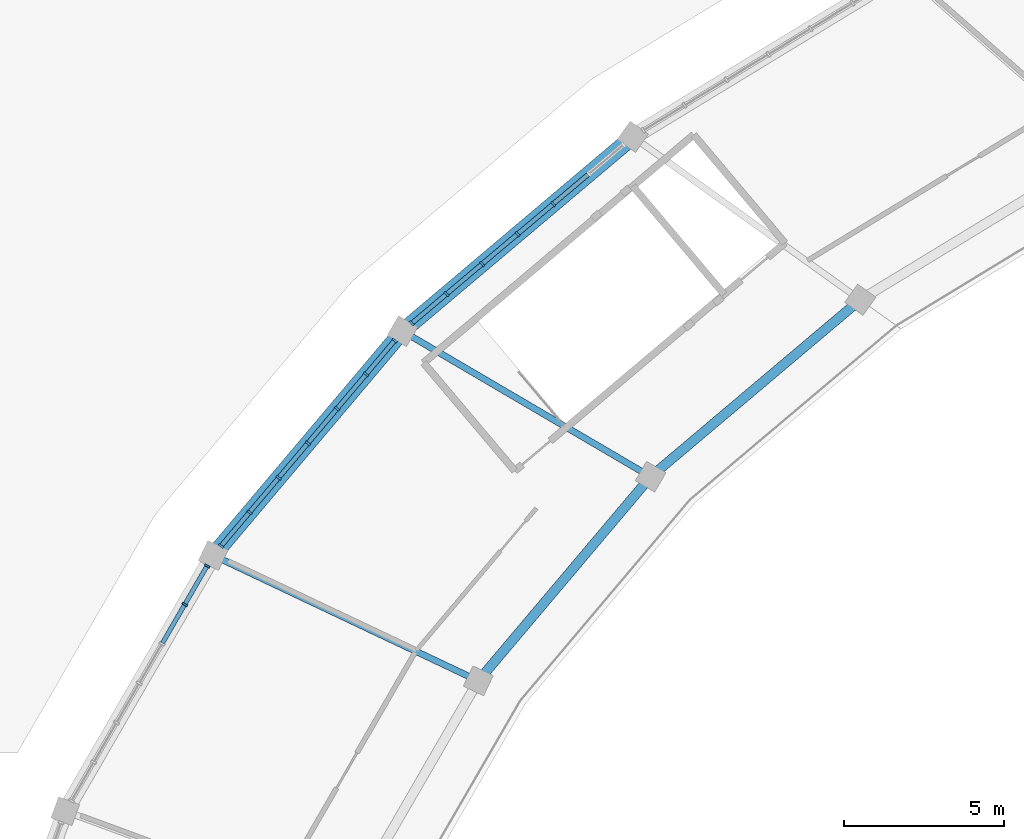
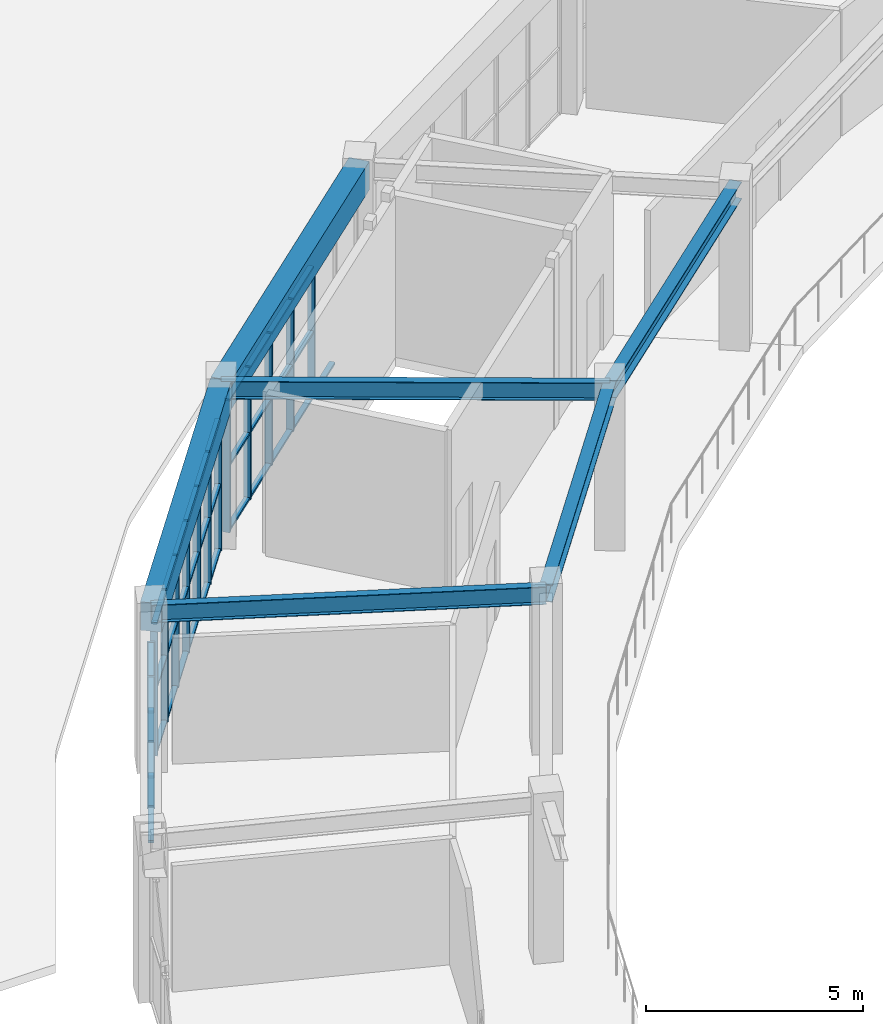
# One storey, part 24 of 45: 51 members, 6 beams, 3 elements without a shape of their own.
"""IFC4 building model written with IfcOpenShell, lengths in metres."""

import ifcopenshell
import ifcopenshell.guid

model = None  # the IFC model being written
_history = None  # IfcOwnerHistory: only IFC2X3 demands one
_inside = {}  # id of a spatial element -> (the spatial element, [elements in it])
_under = {}  # id of a project, library or spatial element -> (it, [spatial elements below it])
_declared = {}  # id of a project -> (the project, [libraries it declares])
_typed = {}  # id of a type object -> (the type object, [elements of that type])
_made_of = {}  # id of a material, layer set ... -> (it, [elements and type objects made of it])


def new_model(schema):
    """Start an empty IFC model of exactly this schema.

    Asked for "IFC4X3", IfcOpenShell would pick the latest addendum, in which some entities
    have other attributes; the version numbers below select the first issue.
    IFC2X3 requires an IfcOwnerHistory on every rooted entity: one is made here for all.
    """
    global model, _history
    if schema == "IFC4X3":
        model = ifcopenshell.file(schema_version=(4, 3, 0, 0))
    else:
        model = ifcopenshell.file(schema=schema)
    _inside.clear()
    _under.clear()
    _declared.clear()
    _typed.clear()
    _made_of.clear()
    _history = None
    if model.schema == "IFC2X3":
        org = make("IfcOrganization", Name="unknown")
        user = make(
            "IfcPersonAndOrganization",
            ThePerson=make("IfcPerson", FamilyName="unknown"),
            TheOrganization=org,
        )
        app = make(
            "IfcApplication",
            ApplicationDeveloper=org,
            Version="unknown",
            ApplicationFullName="unknown",
            ApplicationIdentifier="unknown",
        )
        _history = make(
            "IfcOwnerHistory",
            OwningUser=user,
            OwningApplication=app,
            ChangeAction="ADDED",
            CreationDate=0,
        )
    return model


def make(cls, **values):
    """One entity of the class cls with the attributes given. An attribute that is None is left unset."""
    return model.create_entity(
        cls, **{name: value for name, value in values.items() if value is not None}
    )


def rooted(cls, **values):
    """An entity with a GlobalId (a new one), such as an element, a storey or a relation."""
    return make(cls, GlobalId=ifcopenshell.guid.new(), OwnerHistory=_history, **values)


def si_unit(unit_type, name, prefix=None):
    """IfcSIUnit, for example si_unit("LENGTHUNIT", "METRE", prefix="MILLI")."""
    return make("IfcSIUnit", UnitType=unit_type, Prefix=prefix, Name=name)


def assignment(units):
    """IfcUnitAssignment: the units of a project."""
    return None if units is None else make("IfcUnitAssignment", Units=units)


def point(xyz):
    """IfcCartesianPoint."""
    return None if xyz is None else make("IfcCartesianPoint", Coordinates=xyz)


def direction(xyz):
    """IfcDirection."""
    return None if xyz is None else make("IfcDirection", DirectionRatios=xyz)


def frame(location, z_axis=None, x_axis=None):
    """IfcAxis2Placement3D, a coordinate frame: its origin and axes. An axis left out is left unset."""
    return make(
        "IfcAxis2Placement3D",
        Location=point(location),
        Axis=direction(z_axis),
        RefDirection=direction(x_axis),
    )


def frame_2d(location, x_axis=None):
    """IfcAxis2Placement2D, a coordinate frame in the plane: its origin and x axis."""
    return make(
        "IfcAxis2Placement2D", Location=point(location), RefDirection=direction(x_axis)
    )


def origin():
    """The frame at (0, 0, 0) with its axes left unset."""
    return frame((0.0, 0.0, 0.0))


def origin_2d():
    """The frame at (0, 0) in the plane with its x axis left unset."""
    return frame_2d((0.0, 0.0))


def place(relative_to, where):
    """IfcLocalPlacement: puts the frame where relative to a parent placement (None: the world)."""
    return make(
        "IfcLocalPlacement", PlacementRelTo=relative_to, RelativePlacement=where
    )


def context(
    kind, dimensions, precision=None, world=None, true_north=None, identifier=None
):
    """IfcGeometricRepresentationContext, for example the 3D "Model" context."""
    return make(
        "IfcGeometricRepresentationContext",
        ContextIdentifier=identifier,
        ContextType=kind,
        CoordinateSpaceDimension=dimensions,
        Precision=precision,
        WorldCoordinateSystem=world,
        TrueNorth=true_north,
    )


def subcontext(parent, identifier, kind, view, scale=None):
    """IfcGeometricRepresentationSubContext, for example "Body" below "Model"."""
    return make(
        "IfcGeometricRepresentationSubContext",
        ContextIdentifier=identifier,
        ContextType=kind,
        ParentContext=parent,
        TargetScale=scale,
        TargetView=view,
    )


def project(units=None, contexts=None):
    """IfcProject with its units and contexts."""
    return rooted(
        "IfcProject",
        Name="project",
        RepresentationContexts=contexts,
        UnitsInContext=assignment(units),
    )


def spatial(cls, under=None, at=None, **own):
    """A site, building, storey or space (cls), placed at a placement, below another one or the project."""
    s = rooted(cls, ObjectPlacement=at, **own)
    if under is not None:
        _under.setdefault(under.id(), (under, []))[1].append(s)
    return s


def profile(cls, at=None, kind="AREA", **sizes):
    """A parametric profile (cls). Its sizes go by their IFC names, for example OverallWidth=200.0."""
    return make(cls, ProfileType=kind, Position=at, **sizes)


def rectangle(**sizes):
    """IfcRectangleProfileDef."""
    return profile("IfcRectangleProfileDef", **sizes)


def i_section(**sizes):
    """IfcIShapeProfileDef."""
    return profile("IfcIShapeProfileDef", **sizes)


def extrude(swept, where, along, depth):
    """IfcExtrudedAreaSolid: the profile swept, set in the frame where, extruded along a direction by depth."""
    return make(
        "IfcExtrudedAreaSolid",
        SweptArea=swept,
        Position=where,
        ExtrudedDirection=direction(along),
        Depth=depth,
    )


def shape(context_of_items, identifier, shape_type, items):
    """IfcShapeRepresentation: the items that make up one representation, for example the "Body"."""
    return make(
        "IfcShapeRepresentation",
        ContextOfItems=context_of_items,
        RepresentationIdentifier=identifier,
        RepresentationType=shape_type,
        Items=items,
    )


def material(Name=None, Category=None):
    """IfcMaterial."""
    return make("IfcMaterial", Name=Name, Category=Category)


def layer(
    of_material, thickness, ventilated=None, Name=None, Category=None, Priority=None
):
    """IfcMaterialLayer: one layer of a wall or slab, of a material (None: an air gap)."""
    return make(
        "IfcMaterialLayer",
        Material=of_material,
        LayerThickness=thickness,
        IsVentilated=ventilated,
        Name=Name,
        Category=Category,
        Priority=Priority,
    )


def layer_set(layers, Name=None):
    """IfcMaterialLayerSet."""
    return make("IfcMaterialLayerSet", MaterialLayers=layers, LayerSetName=Name)


def material_profile(
    of_material, cross_section, Name=None, Category=None, Priority=None
):
    """IfcMaterialProfile: a cross section and its material."""
    return make(
        "IfcMaterialProfile",
        Name=Name,
        Material=of_material,
        Profile=cross_section,
        Priority=Priority,
        Category=Category,
    )


def profile_set(profiles, Name=None, composite=None):
    """IfcMaterialProfileSet."""
    return make(
        "IfcMaterialProfileSet",
        Name=Name,
        MaterialProfiles=profiles,
        CompositeProfile=composite,
    )


def made_of(thing, what):
    """Note that an element or type object is made of a material, layer set ...; save() writes the relation."""
    if what is not None:
        _made_of.setdefault(what.id(), (what, []))[1].append(thing)
    return thing


def type_object(cls, material=None, **own):
    """A type object (cls), such as IfcWallType, which elements share."""
    return made_of(rooted(cls, **own), material)


def element(
    cls,
    number,
    at=None,
    inside=None,
    cuts=None,
    type_object=None,
    material=None,
    context=None,
    identifier="Body",
    shape_type=None,
    held_by="IfcProductDefinitionShape",
    body=None,
    shapes=None,
    **own,
):
    """One element of the class cls, such as IfcWall. Its Tag is "e" and its number.

    at: its placement. inside: the storey or other place that contains it. cuts: it is an
    opening in that element (IfcRelVoidsElement). A single representation is given by context,
    identifier, shape_type and body (its items); several are given by shapes. held_by: the class
    of the entity that holds the representations. save() writes the other relations.
    """
    e = rooted(cls, Tag="e%d" % number, ObjectPlacement=at, **own)
    if body is not None:
        shapes = [shape(context, identifier, shape_type, body)]
    if shapes is not None:
        e.Representation = make(held_by, Representations=shapes)
    if inside is not None:
        _inside.setdefault(inside.id(), (inside, []))[1].append(e)
    if cuts is not None:
        rooted(
            "IfcRelVoidsElement", RelatingBuildingElement=cuts, RelatedOpeningElement=e
        )
    if type_object is not None:
        _typed.setdefault(type_object.id(), (type_object, []))[1].append(e)
    return made_of(e, material)


def aggregate(whole, parts):
    """IfcRelAggregates: a whole, such as a stair, and the parts it consists of."""
    return rooted("IfcRelAggregates", RelatingObject=whole, RelatedObjects=parts)


def save(model, path):
    """Write the relations noted so far, then the file.

    IfcRelAggregates (storeys below a building ...), IfcRelContainedInSpatialStructure (elements
    in a storey), IfcRelDefinesByType, IfcRelAssociatesMaterial and IfcRelDeclares: one each for
    every whole, place, type object, material and project.
    """
    for whole, parts in _under.values():
        aggregate(whole, parts)
    for where, things in _inside.values():
        rooted(
            "IfcRelContainedInSpatialStructure",
            RelatedElements=things,
            RelatingStructure=where,
        )
    for kind, things in _typed.values():
        rooted("IfcRelDefinesByType", RelatedObjects=things, RelatingType=kind)
    for what, things in _made_of.values():
        rooted("IfcRelAssociatesMaterial", RelatedObjects=things, RelatingMaterial=what)
    for by, libraries in _declared.values():
        rooted("IfcRelDeclares", RelatingContext=by, RelatedDefinitions=libraries)
    model.write(path)


model = new_model("IFC4")

# Units and contexts
model_context = context("Model", 3, precision=1e-05, world=origin(), true_north=direction((0.0, 1.0)))
body_context = subcontext(model_context, "Body", "Model", "MODEL_VIEW")
ifc_project = project(units=[si_unit("LENGTHUNIT", "METRE"), si_unit("AREAUNIT", "SQUARE_METRE"), si_unit("VOLUMEUNIT", "CUBIC_METRE"), si_unit("PLANEANGLEUNIT", "RADIAN"), si_unit("MASSUNIT", "GRAM", prefix="KILO")], contexts=[model_context])

# Site, building, storey
site_placement = place(None, origin())
site = spatial("IfcSite", under=ifc_project, at=site_placement, CompositionType="ELEMENT")
building_placement = place(site_placement, origin())
building = spatial("IfcBuilding", under=site, at=building_placement, Name="Mphavela Belvedere Stadium", CompositionType="ELEMENT")
storey_placement = place(building_placement, frame((0.0, 0.0, 24.0)))
storey = spatial("IfcBuildingStorey", under=building, at=storey_placement, Name="L05", CompositionType="ELEMENT", Elevation=24.0)

# Beams
ifc_material_1 = material(Name="Concrete C40/50", Category="concrete")
ifc_material_profile_1 = material_profile(ifc_material_1, rectangle(XDim=0.5, YDim=0.800048828125, at=origin_2d()), Name="RC 500x800")
ifc_profile_set_1 = profile_set([ifc_material_profile_1], Name="Concrete C40/50")
beam_type_1 = type_object("IfcBeamType", Name="BM-SPANDREL-800", PredefinedType="SPANDREL", material=ifc_profile_set_1)
beam_1_placement = place(storey_placement, frame((35.844482421875, 143.714599609375, 4.14990234375), z_axis=(-0.76426547638, -0.644901761212, 0.0), x_axis=(0.644901761212, -0.76426547638, 0.0)))
element("IfcBeam", 1, at=beam_1_placement, inside=storey, type_object=beam_type_1, Name="Circumferential girder L05 R4-19", PredefinedType="SPANDREL", context=body_context, shape_type="SweptSolid", body=[
    extrude(rectangle(XDim=0.5, YDim=0.800048828125, at=origin_2d()), origin(), (0.0, 0.0, 1.0), 9.3984375),
])
beam_2_placement = place(storey_placement, frame((28.66162109375, 137.653564453125, 4.14990234375), z_axis=(-0.645164552218, -0.764043650952, 0.0), x_axis=(0.764043650952, -0.645164552218, 0.0)))
element("IfcBeam", 2, at=beam_2_placement, inside=storey, type_object=beam_type_1, Name="Circumferential girder L05 R4-20", PredefinedType="SPANDREL", context=body_context, shape_type="SweptSolid", body=[
    extrude(rectangle(XDim=0.5, YDim=0.800048828125, at=origin_2d()), origin(), (0.0, 0.0, 1.0), 9.151123046875),
])
ifc_material_2 = material(Name="Steel S355", Category="steel")
ifc_material_profile_2 = material_profile(ifc_material_2, i_section(OverallWidth=0.300048828125, OverallDepth=0.489990234375, WebThickness=0.011962890625, FlangeThickness=0.02294921875, at=origin_2d()), Name="HEA 500")
ifc_profile_set_2 = profile_set([ifc_material_profile_2], Name="Steel S355")
beam_type_2 = type_object("IfcBeamType", Name="BM-STEEL-HEA500", PredefinedType="BEAM", material=ifc_profile_set_2)
beam_3_placement = place(storey_placement, frame((42.938720703125, 138.631591796875, 4.304931640625), z_axis=(-0.764263355392, -0.644904274761, 0.0), x_axis=(0.644904274761, -0.764263355392, 0.0)))
element("IfcBeam", 3, at=beam_3_placement, inside=storey, type_object=beam_type_2, Name="Circumferential girder L05 R3-19", PredefinedType="BEAM", context=body_context, shape_type="SweptSolid", body=[
    extrude(i_section(OverallWidth=0.300048828125, OverallDepth=0.489990234375, WebThickness=0.011962890625, FlangeThickness=0.02294921875, at=origin_2d()), origin(), (0.0, 0.0, 1.0), 8.55615234375),
])
beam_4_placement = place(storey_placement, frame((36.399658203125, 133.11376953125, 4.304931640625), z_axis=(-0.645177396673, -0.764032804808, 0.0), x_axis=(0.764032804808, -0.645177396673, 0.0)))
element("IfcBeam", 4, at=beam_4_placement, inside=storey, type_object=beam_type_2, Name="Circumferential girder L05 R3-20", PredefinedType="BEAM", context=body_context, shape_type="SweptSolid", body=[
    extrude(i_section(OverallWidth=0.300048828125, OverallDepth=0.489990234375, WebThickness=0.011962890625, FlangeThickness=0.02294921875, at=origin_2d()), origin(), (0.0, 0.0, 1.0), 8.331298828125),
])
ifc_material_3 = material(Name="Steel S355", Category="steel")
ifc_material_profile_3 = material_profile(ifc_material_3, i_section(OverallWidth=0.199951171875, OverallDepth=0.5, WebThickness=0.01025390625, FlangeThickness=0.01611328125, at=origin_2d()), Name="IPE 500")
ifc_profile_set_3 = profile_set([ifc_material_profile_3], Name="Steel S355")
beam_type_3 = type_object("IfcBeamType", Name="BM-STEEL-IPE500", PredefinedType="BEAM", material=ifc_profile_set_3)
beam_5_placement = place(storey_placement, frame((36.399658203125, 133.11376953125, 4.300048828125), z_axis=(-0.862517779395, 0.506026758411, 0.0), x_axis=(-0.506026758411, -0.862517779395, 0.0)))
element("IfcBeam", 5, at=beam_5_placement, inside=storey, type_object=beam_type_3, Name="Radial concourse girder L05 R3R4-20", PredefinedType="BEAM", context=body_context, shape_type="SweptSolid", body=[
    extrude(i_section(OverallWidth=0.199951171875, OverallDepth=0.5, WebThickness=0.01025390625, FlangeThickness=0.01611328125, at=origin_2d()), origin(), (0.0, 0.0, 1.0), 8.971435546875),
])
beam_6_placement = place(storey_placement, frame((31.0244140625, 126.748291015625, 4.300048828125), z_axis=(-0.903845427073, 0.427859140325, 0.0), x_axis=(-0.427859140325, -0.903845427073, 0.0)))
element("IfcBeam", 6, at=beam_6_placement, inside=storey, type_object=beam_type_3, Name="Radial concourse girder L05 R3R4-21", PredefinedType="BEAM", context=body_context, shape_type="SweptSolid", body=[
    extrude(i_section(OverallWidth=0.199951171875, OverallDepth=0.5, WebThickness=0.01025390625, FlangeThickness=0.01611328125, at=origin_2d()), origin(), (0.0, 0.0, 1.0), 9.146240234375),
])

# Curtain wall, members
ifc_material_4 = material(Name="Anodised bronze unitised curtain wall framing")
ifc_layer_1 = layer(ifc_material_4, 0.179931640625)
ifc_layer_set_1 = layer_set([ifc_layer_1], Name="Anodised bronze unitised curtain wall framing")
curtain_wall_type_1 = type_object("IfcCurtainWallType", Name="CW-UNIT-01", PredefinedType="USERDEFINED", material=ifc_layer_set_1)
curtain_wall_1_placement = place(storey_placement, origin())
curtain_wall_1 = element("IfcCurtainWall", 7, at=curtain_wall_1_placement, inside=storey, type_object=curtain_wall_type_1, Name="Belvedere colonnade curtain wall L05-19", ObjectType="UNITISED CURTAIN WALL", PredefinedType="USERDEFINED")
ifc_material_5 = material(Name="Anodised bronze extruded aluminium", Category="aluminium")
ifc_material_profile_4 = material_profile(ifc_material_5, rectangle(XDim=0.179931640625, YDim=0.06494140625, at=origin_2d()), Name="CW-MUL 180x65")
ifc_profile_set_4 = profile_set([ifc_material_profile_4], Name="Anodised bronze extruded aluminium")
member_type_1 = type_object("IfcMemberType", Name="CWM-180x65", PredefinedType="MULLION", material=ifc_profile_set_4)
member_1_placement = place(storey_placement, frame((33.361572265625, 141.619384765625, 0.0), z_axis=(0.0, 0.0, 1.0), x_axis=(0.644916038089, -0.764253429051, 0.0)))
member_1 = element("IfcMember", 8, at=member_1_placement, type_object=member_type_1, Name="CW-01 mullion 3", PredefinedType="MULLION", context=body_context, shape_type="SweptSolid", body=[
    extrude(rectangle(XDim=0.179931640625, YDim=0.06494140625, at=origin_2d()), origin(), (0.0, 0.0, 1.0), 3.719970703125),
])
member_2_placement = place(storey_placement, frame((32.2529296875, 140.68408203125, 0.0), z_axis=(0.0, 0.0, 1.0), x_axis=(0.644916038089, -0.764253429051, 0.0)))
member_2 = element("IfcMember", 9, at=member_2_placement, type_object=member_type_1, Name="CW-01 mullion 4", PredefinedType="MULLION", context=body_context, shape_type="SweptSolid", body=[
    extrude(rectangle(XDim=0.179931640625, YDim=0.06494140625, at=origin_2d()), origin(), (0.0, 0.0, 1.0), 3.719970703125),
])
member_3_placement = place(storey_placement, frame((31.14453125, 139.74853515625, 0.0), z_axis=(0.0, 0.0, 1.0), x_axis=(0.644916038089, -0.764253429051, 0.0)))
member_3 = element("IfcMember", 10, at=member_3_placement, type_object=member_type_1, Name="CW-01 mullion 5", PredefinedType="MULLION", context=body_context, shape_type="SweptSolid", body=[
    extrude(rectangle(XDim=0.179931640625, YDim=0.06494140625, at=origin_2d()), origin(), (0.0, 0.0, 1.0), 3.719970703125),
])
member_4_placement = place(storey_placement, frame((30.0361328125, 138.813232421875, 0.0), z_axis=(0.0, 0.0, 1.0), x_axis=(0.644916038089, -0.764253429051, 0.0)))
member_4 = element("IfcMember", 11, at=member_4_placement, type_object=member_type_1, Name="CW-01 mullion 6", PredefinedType="MULLION", context=body_context, shape_type="SweptSolid", body=[
    extrude(rectangle(XDim=0.179931640625, YDim=0.06494140625, at=origin_2d()), origin(), (0.0, 0.0, 1.0), 3.719970703125),
])
member_5_placement = place(storey_placement, frame((28.95263671875, 137.89892578125, 0.0), z_axis=(0.0, 0.0, 1.0), x_axis=(0.644916038089, -0.764253429051, 0.0)))
member_5 = element("IfcMember", 12, at=member_5_placement, type_object=member_type_1, Name="CW-01 mullion 7", PredefinedType="MULLION", context=body_context, shape_type="SweptSolid", body=[
    extrude(rectangle(XDim=0.179931640625, YDim=0.06494140625, at=origin_2d()), origin(), (0.0, 0.0, 1.0), 3.719970703125),
])

ifc_material_6 = material(Name="Anodised bronze unitised curtain wall framing")
ifc_layer_2 = layer(ifc_material_6, 0.18505859375)
ifc_layer_set_2 = layer_set([ifc_layer_2], Name="Anodised bronze unitised curtain wall framing")
curtain_wall_type_2 = type_object("IfcCurtainWallType", Name="CW-UNIT-02", PredefinedType="USERDEFINED", material=ifc_layer_set_2)
curtain_wall_2_placement = place(storey_placement, origin())
curtain_wall_2 = element("IfcCurtainWall", 13, at=curtain_wall_2_placement, inside=storey, type_object=curtain_wall_type_2, Name="Belvedere colonnade curtain wall L05-20", ObjectType="UNITISED CURTAIN WALL", PredefinedType="USERDEFINED")
member_6_placement = place(storey_placement, frame((28.416259765625, 137.36279296875, 0.0), z_axis=(0.0, 0.0, 1.0), x_axis=(0.764034579723, -0.645175294774, 0.0)))
member_6 = element("IfcMember", 14, at=member_6_placement, type_object=member_type_1, Name="CW-02 mullion 1", PredefinedType="MULLION", context=body_context, shape_type="SweptSolid", body=[
    extrude(rectangle(XDim=0.179931640625, YDim=0.06494140625, at=origin_2d()), origin(), (0.0, 0.0, 1.0), 3.719970703125),
])
member_7_placement = place(storey_placement, frame((27.528076171875, 136.310791015625, 0.0), z_axis=(0.0, 0.0, 1.0), x_axis=(0.764034579723, -0.645175294774, 0.0)))
member_7 = element("IfcMember", 15, at=member_7_placement, type_object=member_type_1, Name="CW-02 mullion 2", PredefinedType="MULLION", context=body_context, shape_type="SweptSolid", body=[
    extrude(rectangle(XDim=0.179931640625, YDim=0.06494140625, at=origin_2d()), origin(), (0.0, 0.0, 1.0), 3.719970703125),
])
member_8_placement = place(storey_placement, frame((26.618896484375, 135.234130859375, 0.0), z_axis=(0.0, 0.0, 1.0), x_axis=(0.764034579723, -0.645175294774, 0.0)))
member_8 = element("IfcMember", 16, at=member_8_placement, type_object=member_type_1, Name="CW-02 mullion 3", PredefinedType="MULLION", context=body_context, shape_type="SweptSolid", body=[
    extrude(rectangle(XDim=0.179931640625, YDim=0.06494140625, at=origin_2d()), origin(), (0.0, 0.0, 1.0), 3.719970703125),
])
member_9_placement = place(storey_placement, frame((25.709716796875, 134.157470703125, 0.0), z_axis=(0.0, 0.0, 1.0), x_axis=(0.764034579723, -0.645175294774, 0.0)))
member_9 = element("IfcMember", 17, at=member_9_placement, type_object=member_type_1, Name="CW-02 mullion 4", PredefinedType="MULLION", context=body_context, shape_type="SweptSolid", body=[
    extrude(rectangle(XDim=0.179931640625, YDim=0.06494140625, at=origin_2d()), origin(), (0.0, 0.0, 1.0), 3.719970703125),
])
member_10_placement = place(storey_placement, frame((24.80029296875, 133.080810546875, 0.0), z_axis=(0.0, 0.0, 1.0), x_axis=(0.764034579723, -0.645175294774, 0.0)))
member_10 = element("IfcMember", 18, at=member_10_placement, type_object=member_type_1, Name="CW-02 mullion 5", PredefinedType="MULLION", context=body_context, shape_type="SweptSolid", body=[
    extrude(rectangle(XDim=0.179931640625, YDim=0.06494140625, at=origin_2d()), origin(), (0.0, 0.0, 1.0), 3.719970703125),
])
member_11_placement = place(storey_placement, frame((23.89111328125, 132.004150390625, 0.0), z_axis=(0.0, 0.0, 1.0), x_axis=(0.764034579723, -0.645175294774, 0.0)))
member_11 = element("IfcMember", 19, at=member_11_placement, type_object=member_type_1, Name="CW-02 mullion 6", PredefinedType="MULLION", context=body_context, shape_type="SweptSolid", body=[
    extrude(rectangle(XDim=0.179931640625, YDim=0.06494140625, at=origin_2d()), origin(), (0.0, 0.0, 1.0), 3.719970703125),
])
member_12_placement = place(storey_placement, frame((23.0029296875, 130.9521484375, 0.0), z_axis=(0.0, 0.0, 1.0), x_axis=(0.764034579723, -0.645175294774, 0.0)))
member_12 = element("IfcMember", 20, at=member_12_placement, type_object=member_type_1, Name="CW-02 mullion 7", PredefinedType="MULLION", context=body_context, shape_type="SweptSolid", body=[
    extrude(rectangle(XDim=0.179931640625, YDim=0.06494140625, at=origin_2d()), origin(), (0.0, 0.0, 1.0), 3.719970703125),
])

ifc_material_7 = material(Name="Anodised bronze unitised curtain wall framing")
ifc_layer_3 = layer(ifc_material_7, 0.18994140625)
ifc_layer_set_3 = layer_set([ifc_layer_3], Name="Anodised bronze unitised curtain wall framing")
curtain_wall_type_3 = type_object("IfcCurtainWallType", Name="CW-UNIT-03", PredefinedType="USERDEFINED", material=ifc_layer_set_3)
curtain_wall_3_placement = place(storey_placement, origin())
curtain_wall_3 = element("IfcCurtainWall", 21, at=curtain_wall_3_placement, inside=storey, type_object=curtain_wall_type_3, Name="Belvedere colonnade curtain wall L05-21", ObjectType="UNITISED CURTAIN WALL", PredefinedType="USERDEFINED")
member_13_placement = place(storey_placement, frame((22.567138671875, 130.33203125, 0.0), z_axis=(0.0, 0.0, 1.0), x_axis=(0.865704159606, -0.500555998906, 0.0)))
member_13 = element("IfcMember", 22, at=member_13_placement, type_object=member_type_1, Name="CW-03 mullion 1", PredefinedType="MULLION", context=body_context, shape_type="SweptSolid", body=[
    extrude(rectangle(XDim=0.179931640625, YDim=0.06494140625, at=origin_2d()), origin(), (0.0, 0.0, 1.0), 3.719970703125),
])
member_14_placement = place(storey_placement, frame((21.872314453125, 129.130859375, 0.0), z_axis=(0.0, 0.0, 1.0), x_axis=(0.865704159606, -0.500555998906, 0.0)))
member_14 = element("IfcMember", 23, at=member_14_placement, type_object=member_type_1, Name="CW-03 mullion 2", PredefinedType="MULLION", context=body_context, shape_type="SweptSolid", body=[
    extrude(rectangle(XDim=0.179931640625, YDim=0.06494140625, at=origin_2d()), origin(), (0.0, 0.0, 1.0), 3.719970703125),
])

# Member
ifc_material_8 = material(Name="Anodised bronze extruded aluminium", Category="aluminium")
ifc_material_profile_5 = material_profile(ifc_material_8, rectangle(XDim=0.139892578125, YDim=0.06005859375, at=origin_2d()), Name="CW-TRN 140x60")
ifc_profile_set_5 = profile_set([ifc_material_profile_5], Name="Anodised bronze extruded aluminium")
member_type_2 = type_object("IfcMemberType", Name="CWT-140x60", PredefinedType="USERDEFINED", material=ifc_profile_set_5)
member_15_placement = place(storey_placement, frame((34.445068359375, 142.53369140625, 0.030029296875), z_axis=(-0.764321340715, -0.644835551228, 0.0), x_axis=(0.644835551228, -0.764321340715, 0.0)))
member_15 = element("IfcMember", 24, at=member_15_placement, type_object=member_type_2, Name="CW-01 transom 2.1", ObjectType="TRANSOM", PredefinedType="USERDEFINED", context=body_context, shape_type="SweptSolid", body=[
    extrude(rectangle(XDim=0.139892578125, YDim=0.06005859375, at=origin_2d()), origin(), (0.0, 0.0, 1.0), 1.38525390625),
])

member_16_placement = place(storey_placement, frame((33.336669921875, 141.598388671875, 0.030029296875), z_axis=(-0.764321340715, -0.644835551228, 0.0), x_axis=(0.644835551228, -0.764321340715, 0.0)))
member_16 = element("IfcMember", 25, at=member_16_placement, type_object=member_type_2, Name="CW-01 transom 3.1", ObjectType="TRANSOM", PredefinedType="USERDEFINED", context=body_context, shape_type="SweptSolid", body=[
    extrude(rectangle(XDim=0.139892578125, YDim=0.06005859375, at=origin_2d()), origin(), (0.0, 0.0, 1.0), 1.38525390625),
])

member_17_placement = place(storey_placement, frame((33.336669921875, 141.598388671875, 1.860107421875), z_axis=(-0.764321340715, -0.644835551228, 0.0), x_axis=(0.644835551228, -0.764321340715, 0.0)))
member_17 = element("IfcMember", 26, at=member_17_placement, type_object=member_type_2, Name="CW-01 transom 3.2", ObjectType="TRANSOM", PredefinedType="USERDEFINED", context=body_context, shape_type="SweptSolid", body=[
    extrude(rectangle(XDim=0.139892578125, YDim=0.06005859375, at=origin_2d()), origin(), (0.0, 0.0, 1.0), 1.38525390625),
])

member_18_placement = place(storey_placement, frame((33.336669921875, 141.598388671875, 3.68994140625), z_axis=(-0.764321340715, -0.644835551228, 0.0), x_axis=(0.644835551228, -0.764321340715, 0.0)))
member_18 = element("IfcMember", 27, at=member_18_placement, type_object=member_type_2, Name="CW-01 transom 3.3", ObjectType="TRANSOM", PredefinedType="USERDEFINED", context=body_context, shape_type="SweptSolid", body=[
    extrude(rectangle(XDim=0.139892578125, YDim=0.06005859375, at=origin_2d()), origin(), (0.0, 0.0, 1.0), 1.38525390625),
])

member_19_placement = place(storey_placement, frame((32.228271484375, 140.6630859375, 0.030029296875), z_axis=(-0.764234485314, -0.644938486569, 0.0), x_axis=(0.644938486569, -0.764234485314, 0.0)))
member_19 = element("IfcMember", 28, at=member_19_placement, type_object=member_type_2, Name="CW-01 transom 4.1", ObjectType="TRANSOM", PredefinedType="USERDEFINED", context=body_context, shape_type="SweptSolid", body=[
    extrude(rectangle(XDim=0.139892578125, YDim=0.06005859375, at=origin_2d()), origin(), (0.0, 0.0, 1.0), 1.385498046875),
])

member_20_placement = place(storey_placement, frame((32.228271484375, 140.6630859375, 1.860107421875), z_axis=(-0.764234485314, -0.644938486569, 0.0), x_axis=(0.644938486569, -0.764234485314, 0.0)))
member_20 = element("IfcMember", 29, at=member_20_placement, type_object=member_type_2, Name="CW-01 transom 4.2", ObjectType="TRANSOM", PredefinedType="USERDEFINED", context=body_context, shape_type="SweptSolid", body=[
    extrude(rectangle(XDim=0.139892578125, YDim=0.06005859375, at=origin_2d()), origin(), (0.0, 0.0, 1.0), 1.385498046875),
])

member_21_placement = place(storey_placement, frame((32.228271484375, 140.6630859375, 3.68994140625), z_axis=(-0.764234485314, -0.644938486569, 0.0), x_axis=(0.644938486569, -0.764234485314, 0.0)))
member_21 = element("IfcMember", 30, at=member_21_placement, type_object=member_type_2, Name="CW-01 transom 4.3", ObjectType="TRANSOM", PredefinedType="USERDEFINED", context=body_context, shape_type="SweptSolid", body=[
    extrude(rectangle(XDim=0.139892578125, YDim=0.06005859375, at=origin_2d()), origin(), (0.0, 0.0, 1.0), 1.385498046875),
])

member_22_placement = place(storey_placement, frame((31.119873046875, 139.727783203125, 0.030029296875), z_axis=(-0.764234485314, -0.644938486569, 0.0), x_axis=(0.644938486569, -0.764234485314, 0.0)))
member_22 = element("IfcMember", 31, at=member_22_placement, type_object=member_type_2, Name="CW-01 transom 5.1", ObjectType="TRANSOM", PredefinedType="USERDEFINED", context=body_context, shape_type="SweptSolid", body=[
    extrude(rectangle(XDim=0.139892578125, YDim=0.06005859375, at=origin_2d()), origin(), (0.0, 0.0, 1.0), 1.385498046875),
])

member_23_placement = place(storey_placement, frame((31.119873046875, 139.727783203125, 1.860107421875), z_axis=(-0.764234485314, -0.644938486569, 0.0), x_axis=(0.644938486569, -0.764234485314, 0.0)))
member_23 = element("IfcMember", 32, at=member_23_placement, type_object=member_type_2, Name="CW-01 transom 5.2", ObjectType="TRANSOM", PredefinedType="USERDEFINED", context=body_context, shape_type="SweptSolid", body=[
    extrude(rectangle(XDim=0.139892578125, YDim=0.06005859375, at=origin_2d()), origin(), (0.0, 0.0, 1.0), 1.385498046875),
])

member_24_placement = place(storey_placement, frame((31.119873046875, 139.727783203125, 3.68994140625), z_axis=(-0.764234485314, -0.644938486569, 0.0), x_axis=(0.644938486569, -0.764234485314, 0.0)))
member_24 = element("IfcMember", 33, at=member_24_placement, type_object=member_type_2, Name="CW-01 transom 5.3", ObjectType="TRANSOM", PredefinedType="USERDEFINED", context=body_context, shape_type="SweptSolid", body=[
    extrude(rectangle(XDim=0.139892578125, YDim=0.06005859375, at=origin_2d()), origin(), (0.0, 0.0, 1.0), 1.385498046875),
])

member_25_placement = place(storey_placement, frame((30.01123046875, 138.792236328125, 0.030029296875), z_axis=(-0.764316500448, -0.644841288336, 0.0), x_axis=(0.644841288336, -0.764316500448, 0.0)))
member_25 = element("IfcMember", 34, at=member_25_placement, type_object=member_type_2, Name="CW-01 transom 6.1", ObjectType="TRANSOM", PredefinedType="USERDEFINED", context=body_context, shape_type="SweptSolid", body=[
    extrude(rectangle(XDim=0.139892578125, YDim=0.06005859375, at=origin_2d()), origin(), (0.0, 0.0, 1.0), 1.352783203125),
])

member_26_placement = place(storey_placement, frame((30.01123046875, 138.792236328125, 1.860107421875), z_axis=(-0.764316500448, -0.644841288336, 0.0), x_axis=(0.644841288336, -0.764316500448, 0.0)))
member_26 = element("IfcMember", 35, at=member_26_placement, type_object=member_type_2, Name="CW-01 transom 6.2", ObjectType="TRANSOM", PredefinedType="USERDEFINED", context=body_context, shape_type="SweptSolid", body=[
    extrude(rectangle(XDim=0.139892578125, YDim=0.06005859375, at=origin_2d()), origin(), (0.0, 0.0, 1.0), 1.352783203125),
])

member_27_placement = place(storey_placement, frame((30.01123046875, 138.792236328125, 3.68994140625), z_axis=(-0.764316500448, -0.644841288336, 0.0), x_axis=(0.644841288336, -0.764316500448, 0.0)))
member_27 = element("IfcMember", 36, at=member_27_placement, type_object=member_type_2, Name="CW-01 transom 6.3", ObjectType="TRANSOM", PredefinedType="USERDEFINED", context=body_context, shape_type="SweptSolid", body=[
    extrude(rectangle(XDim=0.139892578125, YDim=0.06005859375, at=origin_2d()), origin(), (0.0, 0.0, 1.0), 1.352783203125),
])

aggregate(curtain_wall_1, [member_1, member_2, member_3, member_4, member_5, member_15, member_16, member_17, member_18, member_19, member_20, member_21, member_22, member_23, member_24, member_25, member_26, member_27])

member_28_placement = place(storey_placement, frame((28.395263671875, 137.337890625, 0.030029296875), z_axis=(-0.645132526384, -0.764070692673, 0.0), x_axis=(0.764070692673, -0.645132526384, 0.0)))
member_28 = element("IfcMember", 37, at=member_28_placement, type_object=member_type_2, Name="CW-02 transom 1.1", ObjectType="TRANSOM", PredefinedType="USERDEFINED", context=body_context, shape_type="SweptSolid", body=[
    extrude(rectangle(XDim=0.139892578125, YDim=0.06005859375, at=origin_2d()), origin(), (0.0, 0.0, 1.0), 1.311767578125),
])

member_29_placement = place(storey_placement, frame((28.395263671875, 137.337890625, 1.860107421875), z_axis=(-0.645132526384, -0.764070692673, 0.0), x_axis=(0.764070692673, -0.645132526384, 0.0)))
member_29 = element("IfcMember", 38, at=member_29_placement, type_object=member_type_2, Name="CW-02 transom 1.2", ObjectType="TRANSOM", PredefinedType="USERDEFINED", context=body_context, shape_type="SweptSolid", body=[
    extrude(rectangle(XDim=0.139892578125, YDim=0.06005859375, at=origin_2d()), origin(), (0.0, 0.0, 1.0), 1.311767578125),
])

member_30_placement = place(storey_placement, frame((28.395263671875, 137.337890625, 3.68994140625), z_axis=(-0.645132526384, -0.764070692673, 0.0), x_axis=(0.764070692673, -0.645132526384, 0.0)))
member_30 = element("IfcMember", 39, at=member_30_placement, type_object=member_type_2, Name="CW-02 transom 1.3", ObjectType="TRANSOM", PredefinedType="USERDEFINED", context=body_context, shape_type="SweptSolid", body=[
    extrude(rectangle(XDim=0.139892578125, YDim=0.06005859375, at=origin_2d()), origin(), (0.0, 0.0, 1.0), 1.311767578125),
])

member_31_placement = place(storey_placement, frame((27.507080078125, 136.2861328125, 0.030029296875), z_axis=(-0.645225575493, -0.763992118238, 0.0), x_axis=(0.763992118238, -0.645225575493, 0.0)))
member_31 = element("IfcMember", 40, at=member_31_placement, type_object=member_type_2, Name="CW-02 transom 2.1", ObjectType="TRANSOM", PredefinedType="USERDEFINED", context=body_context, shape_type="SweptSolid", body=[
    extrude(rectangle(XDim=0.139892578125, YDim=0.06005859375, at=origin_2d()), origin(), (0.0, 0.0, 1.0), 1.344482421875),
])

member_32_placement = place(storey_placement, frame((27.507080078125, 136.2861328125, 1.860107421875), z_axis=(-0.645225575493, -0.763992118238, 0.0), x_axis=(0.763992118238, -0.645225575493, 0.0)))
member_32 = element("IfcMember", 41, at=member_32_placement, type_object=member_type_2, Name="CW-02 transom 2.2", ObjectType="TRANSOM", PredefinedType="USERDEFINED", context=body_context, shape_type="SweptSolid", body=[
    extrude(rectangle(XDim=0.139892578125, YDim=0.06005859375, at=origin_2d()), origin(), (0.0, 0.0, 1.0), 1.344482421875),
])

member_33_placement = place(storey_placement, frame((27.507080078125, 136.2861328125, 3.68994140625), z_axis=(-0.645225575493, -0.763992118238, 0.0), x_axis=(0.763992118238, -0.645225575493, 0.0)))
member_33 = element("IfcMember", 42, at=member_33_placement, type_object=member_type_2, Name="CW-02 transom 2.3", ObjectType="TRANSOM", PredefinedType="USERDEFINED", context=body_context, shape_type="SweptSolid", body=[
    extrude(rectangle(XDim=0.139892578125, YDim=0.06005859375, at=origin_2d()), origin(), (0.0, 0.0, 1.0), 1.344482421875),
])

member_34_placement = place(storey_placement, frame((26.597900390625, 135.20947265625, 0.030029296875), z_axis=(-0.645225575493, -0.763992118238, 0.0), x_axis=(0.763992118238, -0.645225575493, 0.0)))
member_34 = element("IfcMember", 43, at=member_34_placement, type_object=member_type_2, Name="CW-02 transom 3.1", ObjectType="TRANSOM", PredefinedType="USERDEFINED", context=body_context, shape_type="SweptSolid", body=[
    extrude(rectangle(XDim=0.139892578125, YDim=0.06005859375, at=origin_2d()), origin(), (0.0, 0.0, 1.0), 1.344482421875),
])

member_35_placement = place(storey_placement, frame((26.597900390625, 135.20947265625, 1.860107421875), z_axis=(-0.645225575493, -0.763992118238, 0.0), x_axis=(0.763992118238, -0.645225575493, 0.0)))
member_35 = element("IfcMember", 44, at=member_35_placement, type_object=member_type_2, Name="CW-02 transom 3.2", ObjectType="TRANSOM", PredefinedType="USERDEFINED", context=body_context, shape_type="SweptSolid", body=[
    extrude(rectangle(XDim=0.139892578125, YDim=0.06005859375, at=origin_2d()), origin(), (0.0, 0.0, 1.0), 1.344482421875),
])

member_36_placement = place(storey_placement, frame((26.597900390625, 135.20947265625, 3.68994140625), z_axis=(-0.645225575493, -0.763992118238, 0.0), x_axis=(0.763992118238, -0.645225575493, 0.0)))
member_36 = element("IfcMember", 45, at=member_36_placement, type_object=member_type_2, Name="CW-02 transom 3.3", ObjectType="TRANSOM", PredefinedType="USERDEFINED", context=body_context, shape_type="SweptSolid", body=[
    extrude(rectangle(XDim=0.139892578125, YDim=0.06005859375, at=origin_2d()), origin(), (0.0, 0.0, 1.0), 1.344482421875),
])

member_37_placement = place(storey_placement, frame((25.688720703125, 134.132568359375, 0.030029296875), z_axis=(-0.645315102813, -0.763916499417, 0.0), x_axis=(0.763916499417, -0.645315102813, 0.0)))
member_37 = element("IfcMember", 46, at=member_37_placement, type_object=member_type_2, Name="CW-02 transom 4.1", ObjectType="TRANSOM", PredefinedType="USERDEFINED", context=body_context, shape_type="SweptSolid", body=[
    extrude(rectangle(XDim=0.139892578125, YDim=0.06005859375, at=origin_2d()), origin(), (0.0, 0.0, 1.0), 1.34423828125),
])

member_38_placement = place(storey_placement, frame((25.688720703125, 134.132568359375, 1.860107421875), z_axis=(-0.645315102813, -0.763916499417, 0.0), x_axis=(0.763916499417, -0.645315102813, 0.0)))
member_38 = element("IfcMember", 47, at=member_38_placement, type_object=member_type_2, Name="CW-02 transom 4.2", ObjectType="TRANSOM", PredefinedType="USERDEFINED", context=body_context, shape_type="SweptSolid", body=[
    extrude(rectangle(XDim=0.139892578125, YDim=0.06005859375, at=origin_2d()), origin(), (0.0, 0.0, 1.0), 1.34423828125),
])

member_39_placement = place(storey_placement, frame((25.688720703125, 134.132568359375, 3.68994140625), z_axis=(-0.645315102813, -0.763916499417, 0.0), x_axis=(0.763916499417, -0.645315102813, 0.0)))
member_39 = element("IfcMember", 48, at=member_39_placement, type_object=member_type_2, Name="CW-02 transom 4.3", ObjectType="TRANSOM", PredefinedType="USERDEFINED", context=body_context, shape_type="SweptSolid", body=[
    extrude(rectangle(XDim=0.139892578125, YDim=0.06005859375, at=origin_2d()), origin(), (0.0, 0.0, 1.0), 1.34423828125),
])

member_40_placement = place(storey_placement, frame((24.779541015625, 133.055908203125, 0.030029296875), z_axis=(-0.645315102813, -0.763916499417, 0.0), x_axis=(0.763916499417, -0.645315102813, 0.0)))
member_40 = element("IfcMember", 49, at=member_40_placement, type_object=member_type_2, Name="CW-02 transom 5.1", ObjectType="TRANSOM", PredefinedType="USERDEFINED", context=body_context, shape_type="SweptSolid", body=[
    extrude(rectangle(XDim=0.139892578125, YDim=0.06005859375, at=origin_2d()), origin(), (0.0, 0.0, 1.0), 1.34423828125),
])

member_41_placement = place(storey_placement, frame((24.779541015625, 133.055908203125, 1.860107421875), z_axis=(-0.645315102813, -0.763916499417, 0.0), x_axis=(0.763916499417, -0.645315102813, 0.0)))
member_41 = element("IfcMember", 50, at=member_41_placement, type_object=member_type_2, Name="CW-02 transom 5.2", ObjectType="TRANSOM", PredefinedType="USERDEFINED", context=body_context, shape_type="SweptSolid", body=[
    extrude(rectangle(XDim=0.139892578125, YDim=0.06005859375, at=origin_2d()), origin(), (0.0, 0.0, 1.0), 1.34423828125),
])

member_42_placement = place(storey_placement, frame((24.779541015625, 133.055908203125, 3.68994140625), z_axis=(-0.645315102813, -0.763916499417, 0.0), x_axis=(0.763916499417, -0.645315102813, 0.0)))
member_42 = element("IfcMember", 51, at=member_42_placement, type_object=member_type_2, Name="CW-02 transom 5.3", ObjectType="TRANSOM", PredefinedType="USERDEFINED", context=body_context, shape_type="SweptSolid", body=[
    extrude(rectangle(XDim=0.139892578125, YDim=0.06005859375, at=origin_2d()), origin(), (0.0, 0.0, 1.0), 1.34423828125),
])

member_43_placement = place(storey_placement, frame((23.8701171875, 131.979248046875, 0.030029296875), z_axis=(-0.645132526384, -0.764070692673, 0.0), x_axis=(0.764070692673, -0.645132526384, 0.0)))
member_43 = element("IfcMember", 52, at=member_43_placement, type_object=member_type_2, Name="CW-02 transom 6.1", ObjectType="TRANSOM", PredefinedType="USERDEFINED", context=body_context, shape_type="SweptSolid", body=[
    extrude(rectangle(XDim=0.139892578125, YDim=0.06005859375, at=origin_2d()), origin(), (0.0, 0.0, 1.0), 1.311767578125),
])

member_44_placement = place(storey_placement, frame((23.8701171875, 131.979248046875, 1.860107421875), z_axis=(-0.645132526384, -0.764070692673, 0.0), x_axis=(0.764070692673, -0.645132526384, 0.0)))
member_44 = element("IfcMember", 53, at=member_44_placement, type_object=member_type_2, Name="CW-02 transom 6.2", ObjectType="TRANSOM", PredefinedType="USERDEFINED", context=body_context, shape_type="SweptSolid", body=[
    extrude(rectangle(XDim=0.139892578125, YDim=0.06005859375, at=origin_2d()), origin(), (0.0, 0.0, 1.0), 1.311767578125),
])

member_45_placement = place(storey_placement, frame((23.8701171875, 131.979248046875, 3.68994140625), z_axis=(-0.645132526384, -0.764070692673, 0.0), x_axis=(0.764070692673, -0.645132526384, 0.0)))
member_45 = element("IfcMember", 54, at=member_45_placement, type_object=member_type_2, Name="CW-02 transom 6.3", ObjectType="TRANSOM", PredefinedType="USERDEFINED", context=body_context, shape_type="SweptSolid", body=[
    extrude(rectangle(XDim=0.139892578125, YDim=0.06005859375, at=origin_2d()), origin(), (0.0, 0.0, 1.0), 1.311767578125),
])

aggregate(curtain_wall_2, [member_6, member_7, member_8, member_9, member_10, member_11, member_12, member_28, member_29, member_30, member_31, member_32, member_33, member_34, member_35, member_36, member_37, member_38, member_39, member_40, member_41, member_42, member_43, member_44, member_45])

member_46_placement = place(storey_placement, frame((22.55078125, 130.303955078125, 0.030029296875), z_axis=(-0.500585088296, -0.865687339272, 0.0), x_axis=(0.865687339272, -0.500585088296, 0.0)))
member_46 = element("IfcMember", 55, at=member_46_placement, type_object=member_type_2, Name="CW-03 transom 1.1", ObjectType="TRANSOM", PredefinedType="USERDEFINED", context=body_context, shape_type="SweptSolid", body=[
    extrude(rectangle(XDim=0.139892578125, YDim=0.06005859375, at=origin_2d()), origin(), (0.0, 0.0, 1.0), 1.32275390625),
])

member_47_placement = place(storey_placement, frame((22.55078125, 130.303955078125, 1.860107421875), z_axis=(-0.500585088296, -0.865687339272, 0.0), x_axis=(0.865687339272, -0.500585088296, 0.0)))
member_47 = element("IfcMember", 56, at=member_47_placement, type_object=member_type_2, Name="CW-03 transom 1.2", ObjectType="TRANSOM", PredefinedType="USERDEFINED", context=body_context, shape_type="SweptSolid", body=[
    extrude(rectangle(XDim=0.139892578125, YDim=0.06005859375, at=origin_2d()), origin(), (0.0, 0.0, 1.0), 1.32275390625),
])

member_48_placement = place(storey_placement, frame((22.55078125, 130.303955078125, 3.68994140625), z_axis=(-0.500585088296, -0.865687339272, 0.0), x_axis=(0.865687339272, -0.500585088296, 0.0)))
member_48 = element("IfcMember", 57, at=member_48_placement, type_object=member_type_2, Name="CW-03 transom 1.3", ObjectType="TRANSOM", PredefinedType="USERDEFINED", context=body_context, shape_type="SweptSolid", body=[
    extrude(rectangle(XDim=0.139892578125, YDim=0.06005859375, at=origin_2d()), origin(), (0.0, 0.0, 1.0), 1.32275390625),
])

member_49_placement = place(storey_placement, frame((21.856201171875, 129.1025390625, 0.030029296875), z_axis=(-0.500652736362, -0.865648218143, 0.0), x_axis=(0.865648218143, -0.500652736362, 0.0)))
member_49 = element("IfcMember", 58, at=member_49_placement, type_object=member_type_2, Name="CW-03 transom 2.1", ObjectType="TRANSOM", PredefinedType="USERDEFINED", context=body_context, shape_type="SweptSolid", body=[
    extrude(rectangle(XDim=0.139892578125, YDim=0.06005859375, at=origin_2d()), origin(), (0.0, 0.0, 1.0), 1.355224609375),
])

member_50_placement = place(storey_placement, frame((21.856201171875, 129.1025390625, 1.860107421875), z_axis=(-0.500652736362, -0.865648218143, 0.0), x_axis=(0.865648218143, -0.500652736362, 0.0)))
member_50 = element("IfcMember", 59, at=member_50_placement, type_object=member_type_2, Name="CW-03 transom 2.2", ObjectType="TRANSOM", PredefinedType="USERDEFINED", context=body_context, shape_type="SweptSolid", body=[
    extrude(rectangle(XDim=0.139892578125, YDim=0.06005859375, at=origin_2d()), origin(), (0.0, 0.0, 1.0), 1.355224609375),
])

member_51_placement = place(storey_placement, frame((21.856201171875, 129.1025390625, 3.68994140625), z_axis=(-0.500652736362, -0.865648218143, 0.0), x_axis=(0.865648218143, -0.500652736362, 0.0)))
member_51 = element("IfcMember", 60, at=member_51_placement, type_object=member_type_2, Name="CW-03 transom 2.3", ObjectType="TRANSOM", PredefinedType="USERDEFINED", context=body_context, shape_type="SweptSolid", body=[
    extrude(rectangle(XDim=0.139892578125, YDim=0.06005859375, at=origin_2d()), origin(), (0.0, 0.0, 1.0), 1.355224609375),
])

aggregate(curtain_wall_3, [member_13, member_14, member_46, member_47, member_48, member_49, member_50, member_51])

save(model, "model.ifc")
